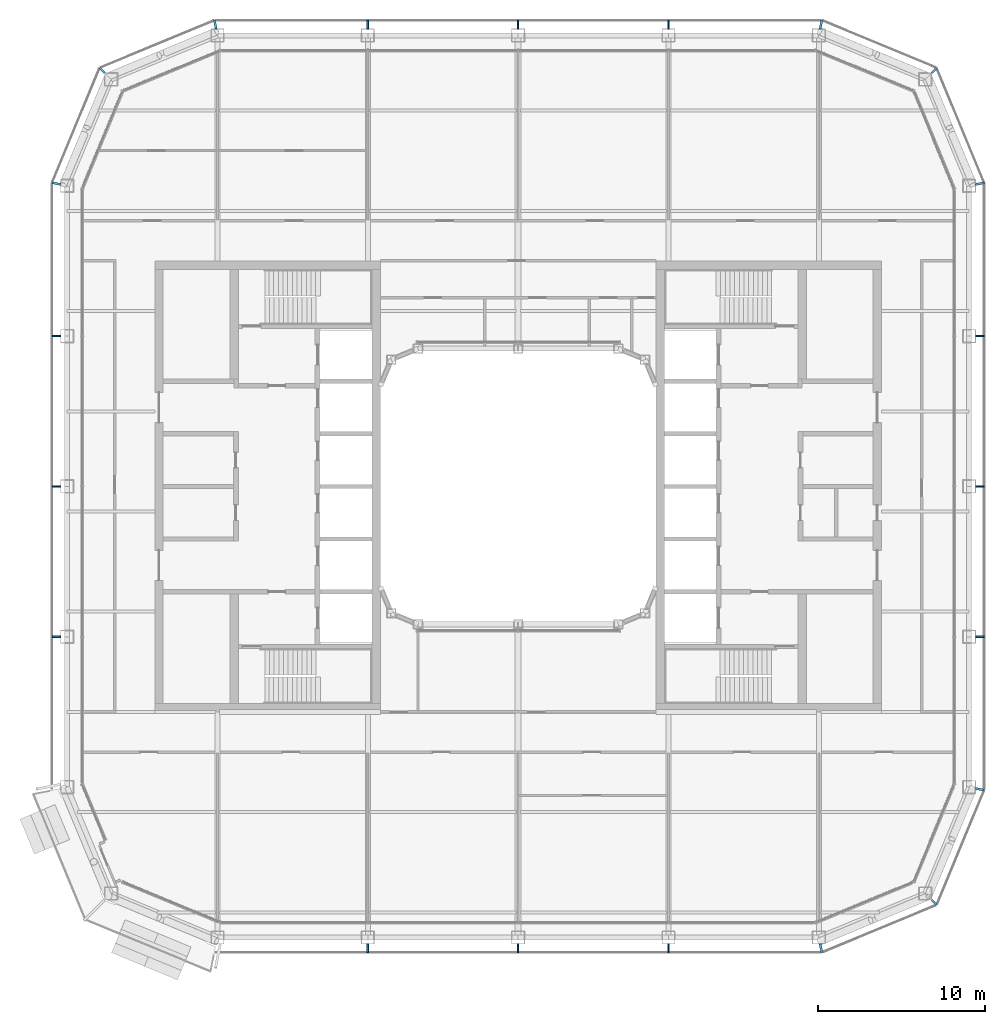
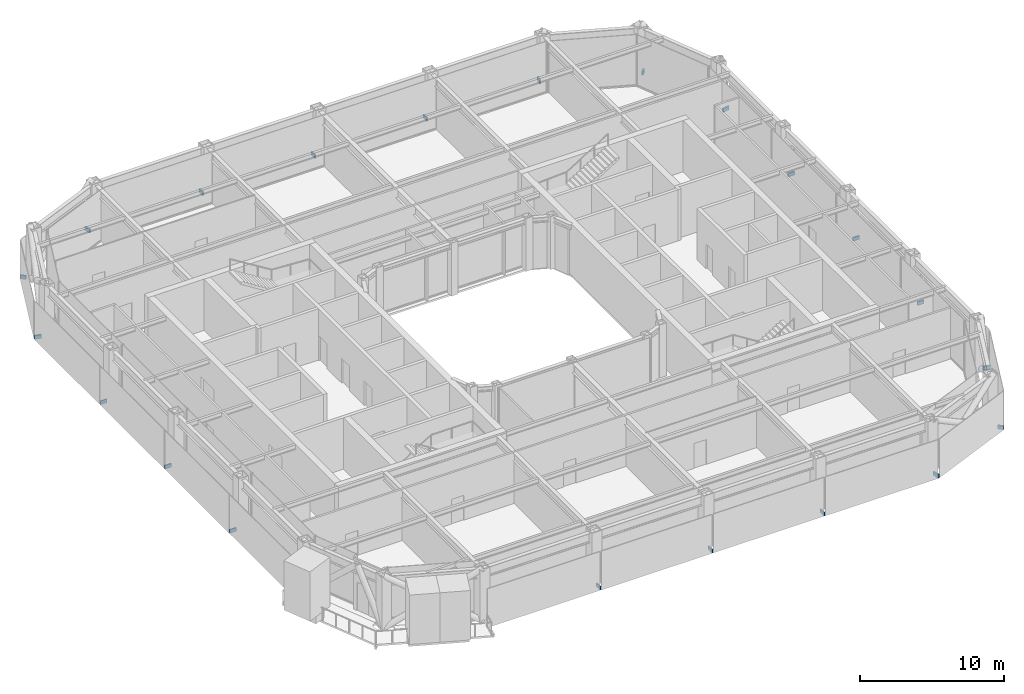
# One storey, part 18 of 23: 21 discrete accessories.
"""IFC4 building model written with IfcOpenShell, lengths in metres."""

from ifc_helpers import new_model, si_unit, direction, frame, origin, origin_2d, place, context, subcontext, project, spatial, rectangle, extrude, material, type_object, element, save


model = new_model("IFC4")

# Units and contexts
model_context = context("Model", 3, precision=1e-05, world=origin(), true_north=direction((0.0, 1.0)))
body_context = subcontext(model_context, "Body", "Model", "MODEL_VIEW")
ifc_project = project(units=[si_unit("LENGTHUNIT", "METRE"), si_unit("AREAUNIT", "SQUARE_METRE"), si_unit("VOLUMEUNIT", "CUBIC_METRE"), si_unit("PLANEANGLEUNIT", "RADIAN"), si_unit("MASSUNIT", "GRAM", prefix="KILO")], contexts=[model_context])

# Site, building, storey
site_placement = place(None, origin())
site = spatial("IfcSite", under=ifc_project, at=site_placement, CompositionType="ELEMENT")
building_placement = place(site_placement, origin())
building = spatial("IfcBuilding", under=site, at=building_placement, Name="Siwar Civic Tower", CompositionType="ELEMENT")
storey_placement = place(building_placement, frame((0.0, 0.0, 251.199951171875)))
storey = spatial("IfcBuildingStorey", under=building, at=storey_placement, Name="L54", CompositionType="ELEMENT", Elevation=251.199951171875)

# Discrete accessories
ifc_material = material(Name="Stainless steel 316", Category="steel")
discrete_accessory_type = type_object("IfcDiscreteAccessoryType", Name="ENV-BRACKET", PredefinedType="BRACKET", material=ifc_material)
for number, where, z_axis, x_axis, name in (
    (1, (27.639892578125, -9.0, -0.14990234375), (0.0, 0.0, 1.0), (1.0, 0.0, 0.0), "Bracket outer skin joint E-01"),
    (2, (27.639892578125, 0.0, -0.14990234375), (0.0, 0.0, 1.0), (1.0, 0.0, 0.0), "Bracket outer skin joint E-02"),
    (3, (27.639892578125, 9.0, -0.14990234375), (0.0, 0.0, 1.0), (1.0, 0.0, 0.0), "Bracket outer skin joint E-03"),
    (4, (9.0, 27.639892578125, -0.14990234375), (0.0, 0.0, 1.0), (0.0, 1.0, 0.0), "Bracket outer skin joint N-01"),
    (5, (0.0, 27.639892578125, -0.14990234375), (0.0, 0.0, 1.0), (0.0, 1.0, 0.0), "Bracket outer skin joint N-02"),
    (6, (-9.0, 27.639892578125, -0.14990234375), (0.0, 0.0, 1.0), (0.0, 1.0, 0.0), "Bracket outer skin joint N-03"),
    (7, (-9.0, -27.639892578125, -0.14990234375), (0.0, 0.0, 1.0), (0.0, -1.0, 0.0), "Bracket outer skin joint S-01"),
    (8, (0.0, -27.639892578125, -0.14990234375), (0.0, 0.0, 1.0), (0.0, -1.0, 0.0), "Bracket outer skin joint S-02"),
    (9, (9.0, -27.639892578125, -0.14990234375), (0.0, 0.0, 1.0), (0.0, -1.0, 0.0), "Bracket outer skin joint S-03"),
):
    element("IfcDiscreteAccessory", number, at=place(storey_placement, frame(where, z_axis=z_axis, x_axis=x_axis)), inside=storey, type_object=discrete_accessory_type, Name=name, PredefinedType="BRACKET", context=body_context, shape_type="SweptSolid", body=[
        extrude(rectangle(XDim=0.52001953125, YDim=0.10009765625, at=origin_2d()), origin(), (0.0, 0.0, 1.0), 0.300048828125),
    ])
discrete_accessory_1_placement = place(storey_placement, frame((18.12744140625, -27.64013671875, -0.14990234375), z_axis=(0.0, 0.0, 1.0), x_axis=(0.195090322016, -0.980785280403, 0.0)))
element("IfcDiscreteAccessory", 10, at=discrete_accessory_1_placement, inside=storey, type_object=discrete_accessory_type, Name="Bracket outer skin joint V01", PredefinedType="BRACKET", context=body_context, shape_type="SweptSolid", body=[
    extrude(rectangle(XDim=0.52978515625, YDim=0.13720703125, at=origin_2d()), origin(), (0.0, 0.0, 1.0), 0.300048828125),
])
discrete_accessory_2_placement = place(storey_placement, frame((24.9013671875, -24.9013671875, -0.14990234375), z_axis=(0.0, 0.0, 1.0), x_axis=(0.707106781187, -0.707106781187, 0.0)))
element("IfcDiscreteAccessory", 11, at=discrete_accessory_2_placement, inside=storey, type_object=discrete_accessory_type, Name="Bracket outer skin joint V02", PredefinedType="BRACKET", context=body_context, shape_type="SweptSolid", body=[
    extrude(rectangle(XDim=0.428466796875, YDim=0.12939453125, at=origin_2d()), origin(), (0.0, 0.0, 1.0), 0.300048828125),
])
for number, where, z_axis, x_axis, name in (
    (12, (27.64013671875, -18.12744140625, -0.14990234375), (0.0, 0.0, 1.0), (0.980785280403, -0.195090322016, 0.0), "Bracket outer skin joint V03"),
    (13, (27.64013671875, 18.12744140625, -0.14990234375), (0.0, 0.0, 1.0), (0.980785280403, 0.195090322016, 0.0), "Bracket outer skin joint V04"),
):
    element("IfcDiscreteAccessory", number, at=place(storey_placement, frame(where, z_axis=z_axis, x_axis=x_axis)), inside=storey, type_object=discrete_accessory_type, Name=name, PredefinedType="BRACKET", context=body_context, shape_type="SweptSolid", body=[
        extrude(rectangle(XDim=0.52978515625, YDim=0.13720703125, at=origin_2d()), origin(), (0.0, 0.0, 1.0), 0.300048828125),
    ])
discrete_accessory_3_placement = place(storey_placement, frame((24.9013671875, 24.9013671875, -0.14990234375), z_axis=(0.0, 0.0, 1.0), x_axis=(0.707106781187, 0.707106781187, 0.0)))
element("IfcDiscreteAccessory", 14, at=discrete_accessory_3_placement, inside=storey, type_object=discrete_accessory_type, Name="Bracket outer skin joint V05", PredefinedType="BRACKET", context=body_context, shape_type="SweptSolid", body=[
    extrude(rectangle(XDim=0.428466796875, YDim=0.12939453125, at=origin_2d()), origin(), (0.0, 0.0, 1.0), 0.300048828125),
])
for number, where, z_axis, x_axis, name in (
    (15, (18.12744140625, 27.64013671875, -0.14990234375), (0.0, 0.0, 1.0), (0.195090322016, 0.980785280403, 0.0), "Bracket outer skin joint V06"),
    (16, (-18.12744140625, 27.64013671875, -0.14990234375), (0.0, 0.0, 1.0), (-0.195090322016, 0.980785280403, 0.0), "Bracket outer skin joint V07"),
):
    element("IfcDiscreteAccessory", number, at=place(storey_placement, frame(where, z_axis=z_axis, x_axis=x_axis)), inside=storey, type_object=discrete_accessory_type, Name=name, PredefinedType="BRACKET", context=body_context, shape_type="SweptSolid", body=[
        extrude(rectangle(XDim=0.52978515625, YDim=0.13720703125, at=origin_2d()), origin(), (0.0, 0.0, 1.0), 0.300048828125),
    ])
discrete_accessory_4_placement = place(storey_placement, frame((-24.9013671875, 24.9013671875, -0.14990234375), z_axis=(0.0, 0.0, 1.0), x_axis=(-0.707106781187, 0.707106781187, 0.0)))
element("IfcDiscreteAccessory", 17, at=discrete_accessory_4_placement, inside=storey, type_object=discrete_accessory_type, Name="Bracket outer skin joint V08", PredefinedType="BRACKET", context=body_context, shape_type="SweptSolid", body=[
    extrude(rectangle(XDim=0.428466796875, YDim=0.12939453125, at=origin_2d()), origin(), (0.0, 0.0, 1.0), 0.300048828125),
])
discrete_accessory_5_placement = place(storey_placement, frame((-27.64013671875, 18.12744140625, -0.14990234375), z_axis=(0.0, 0.0, 1.0), x_axis=(-0.980785280403, 0.195090322016, 0.0)))
element("IfcDiscreteAccessory", 18, at=discrete_accessory_5_placement, inside=storey, type_object=discrete_accessory_type, Name="Bracket outer skin joint V09", PredefinedType="BRACKET", context=body_context, shape_type="SweptSolid", body=[
    extrude(rectangle(XDim=0.52978515625, YDim=0.13720703125, at=origin_2d()), origin(), (0.0, 0.0, 1.0), 0.300048828125),
])
for number, where, z_axis, x_axis, name in (
    (19, (-27.639892578125, 9.0, -0.14990234375), (0.0, 0.0, 1.0), (-1.0, 0.0, 0.0), "Bracket outer skin joint W-01"),
    (20, (-27.639892578125, 0.0, -0.14990234375), (0.0, 0.0, 1.0), (-1.0, 0.0, 0.0), "Bracket outer skin joint W-02"),
    (21, (-27.639892578125, -9.0, -0.14990234375), (0.0, 0.0, 1.0), (-1.0, 0.0, 0.0), "Bracket outer skin joint W-03"),
):
    element("IfcDiscreteAccessory", number, at=place(storey_placement, frame(where, z_axis=z_axis, x_axis=x_axis)), inside=storey, type_object=discrete_accessory_type, Name=name, PredefinedType="BRACKET", context=body_context, shape_type="SweptSolid", body=[
        extrude(rectangle(XDim=0.52001953125, YDim=0.10009765625, at=origin_2d()), origin(), (0.0, 0.0, 1.0), 0.300048828125),
    ])

save(model, "model.ifc")
